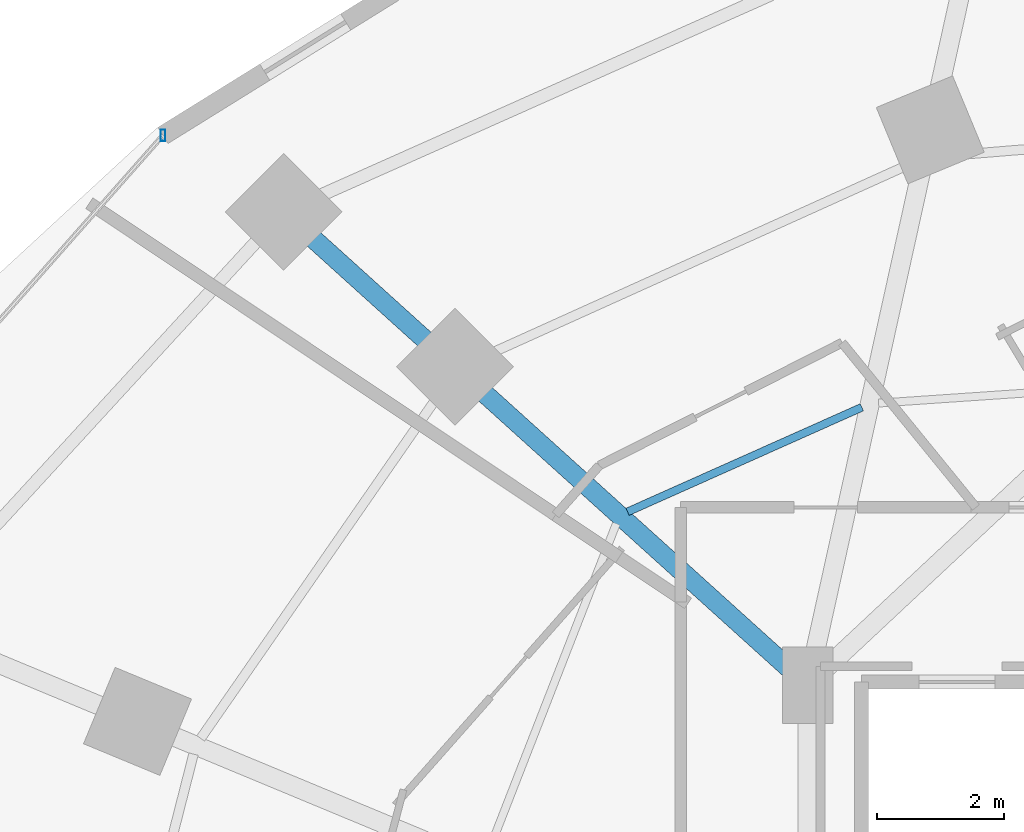
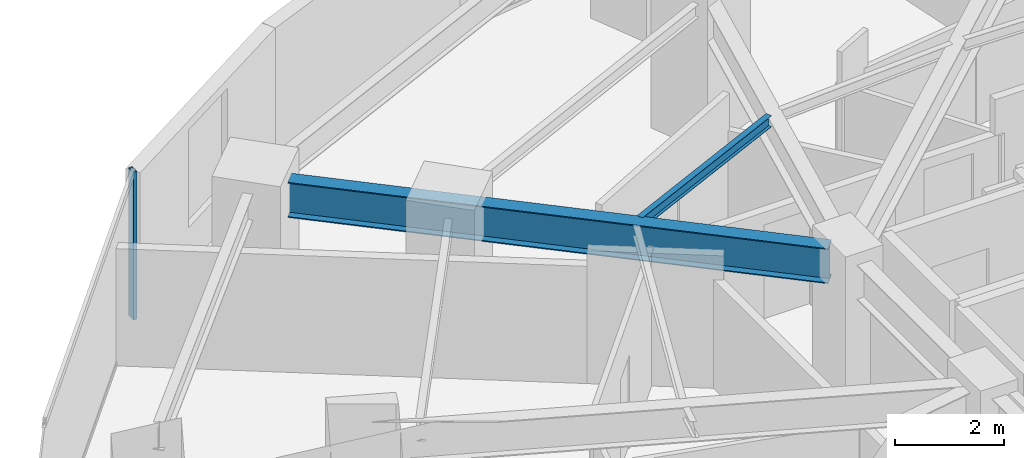
# One storey, part 16 of 30: 2 beams, 1 member, 1 element without a shape of its own.
"""IFC4 building model written with IfcOpenShell, lengths in metres."""

from ifc_helpers import new_model, si_unit, direction, frame, origin, origin_2d, place, context, subcontext, project, spatial, hollow_rectangle, i_section, extrude, material, material_profile, profile_set, type_object, element, aggregate, save


model = new_model("IFC4")

# Units and contexts
model_context = context("Model", 3, precision=1e-05, world=origin(), true_north=direction((0.0, 1.0)))
body_context = subcontext(model_context, "Body", "Model", "MODEL_VIEW")
ifc_project = project(units=[si_unit("LENGTHUNIT", "METRE"), si_unit("AREAUNIT", "SQUARE_METRE"), si_unit("VOLUMEUNIT", "CUBIC_METRE"), si_unit("PLANEANGLEUNIT", "RADIAN"), si_unit("MASSUNIT", "GRAM", prefix="KILO")], contexts=[model_context])

# Site, building, storey
site_placement = place(None, origin())
site = spatial("IfcSite", under=ifc_project, at=site_placement, CompositionType="ELEMENT")
building_placement = place(site_placement, origin())
building = spatial("IfcBuilding", under=site, at=building_placement, Name="Vorneva Point Tower", CompositionType="ELEMENT")
storey_placement = place(building_placement, frame((0.0, 0.0, 41.5)))
storey = spatial("IfcBuildingStorey", under=building, at=storey_placement, Name="L10", CompositionType="ELEMENT", Elevation=41.5)

# Beams
ifc_material_1 = material(Name="Steel S355", Category="steel")
ifc_material_profile_1 = material_profile(ifc_material_1, i_section(OverallWidth=0.300048828125, OverallDepth=0.7880859375, WebThickness=0.014404296875, FlangeThickness=0.02197265625, at=origin_2d()), Name="80Sh1")
ifc_profile_set_1 = profile_set([ifc_material_profile_1], Name="Steel S355")
beam_type_1 = type_object("IfcBeamType", Name="BM-GRD-80Sh1", PredefinedType="USERDEFINED", material=ifc_profile_set_1)
beam_1_placement = place(storey_placement, frame((19.47607421875, 40.172119140625, 2.845947265625), z_axis=(0.742084477445, -0.67030636901, 0.0), x_axis=(0.67030636901, 0.742084477445, 0.0)))
element("IfcBeam", 1, at=beam_1_placement, inside=storey, type_object=beam_type_1, Name="L10 Radial Primary Girder 07", ObjectType="GIRDER", PredefinedType="USERDEFINED", context=body_context, shape_type="SweptSolid", body=[
    extrude(i_section(OverallWidth=0.300048828125, OverallDepth=0.7880859375, WebThickness=0.014404296875, FlangeThickness=0.02197265625, at=origin_2d()), origin(), (0.0, 0.0, 1.0), 10.135986328125),
])
ifc_material_profile_2 = material_profile(ifc_material_1, i_section(OverallWidth=0.1240234375, OverallDepth=0.248046875, WebThickness=0.0048828125, FlangeThickness=0.008056640625, at=origin_2d()), Name="25B1")
ifc_profile_set_2 = profile_set([ifc_material_profile_2], Name="Steel S355")
beam_type_2 = type_object("IfcBeamType", Name="BM-JST-25B1", PredefinedType="JOIST", material=ifc_profile_set_2)
beam_2_placement = place(storey_placement, frame((28.10205078125, 37.52490234375, 3.115966796875), z_axis=(-0.913186925574, -0.40754096599, 0.0), x_axis=(0.40754096599, -0.913186925574, 0.0)))
element("IfcBeam", 2, at=beam_2_placement, inside=storey, type_object=beam_type_2, Name="L10 Secondary Floor Beam 2.06", PredefinedType="JOIST", context=body_context, shape_type="SweptSolid", body=[
    extrude(i_section(OverallWidth=0.1240234375, OverallDepth=0.248046875, WebThickness=0.0048828125, FlangeThickness=0.008056640625, at=origin_2d()), origin(), (0.0, 0.0, 1.0), 4.036376953125),
])

# Curtain wall, member
ifc_material_2 = material(Name="Pale anodised aluminium", Category="aluminium")
curtain_wall_type = type_object("IfcCurtainWallType", Name="CW-HTL-SYS", PredefinedType="NOTDEFINED", material=ifc_material_2)
curtain_wall_placement = place(storey_placement, origin())
curtain_wall = element("IfcCurtainWall", 3, at=curtain_wall_placement, inside=storey, type_object=curtain_wall_type, Name="L10 Unitised Curtain Wall CW-L10-R03", PredefinedType="NOTDEFINED")
ifc_material_profile_3 = material_profile(ifc_material_2, hollow_rectangle(XDim=0.074951171875, YDim=0.179931640625, WallThickness=0.00390625, at=origin_2d()), Name="AL-MUL 180x75x4")
ifc_profile_set_3 = profile_set([ifc_material_profile_3], Name="Pale anodised aluminium")
member_type = type_object("IfcMemberType", Name="CW-MUL-180", PredefinedType="MULLION", material=ifc_profile_set_3)
member_placement = place(storey_placement, frame((17.10498046875, 41.8037109375, -0.0400390625), z_axis=(0.0, 0.0, 1.0), x_axis=(1.0, 0.0, 0.0)))
member = element("IfcMember", 4, at=member_placement, type_object=member_type, Name="CW-L10-R03 Mullion 01", PredefinedType="MULLION", context=body_context, shape_type="SweptSolid", body=[
    extrude(hollow_rectangle(XDim=0.074951171875, YDim=0.179931640625, WallThickness=0.00390625, at=origin_2d()), origin(), (0.0, 0.0, 1.0), 3.31005859375),
])
aggregate(curtain_wall, [member])

save(model, "model.ifc")
